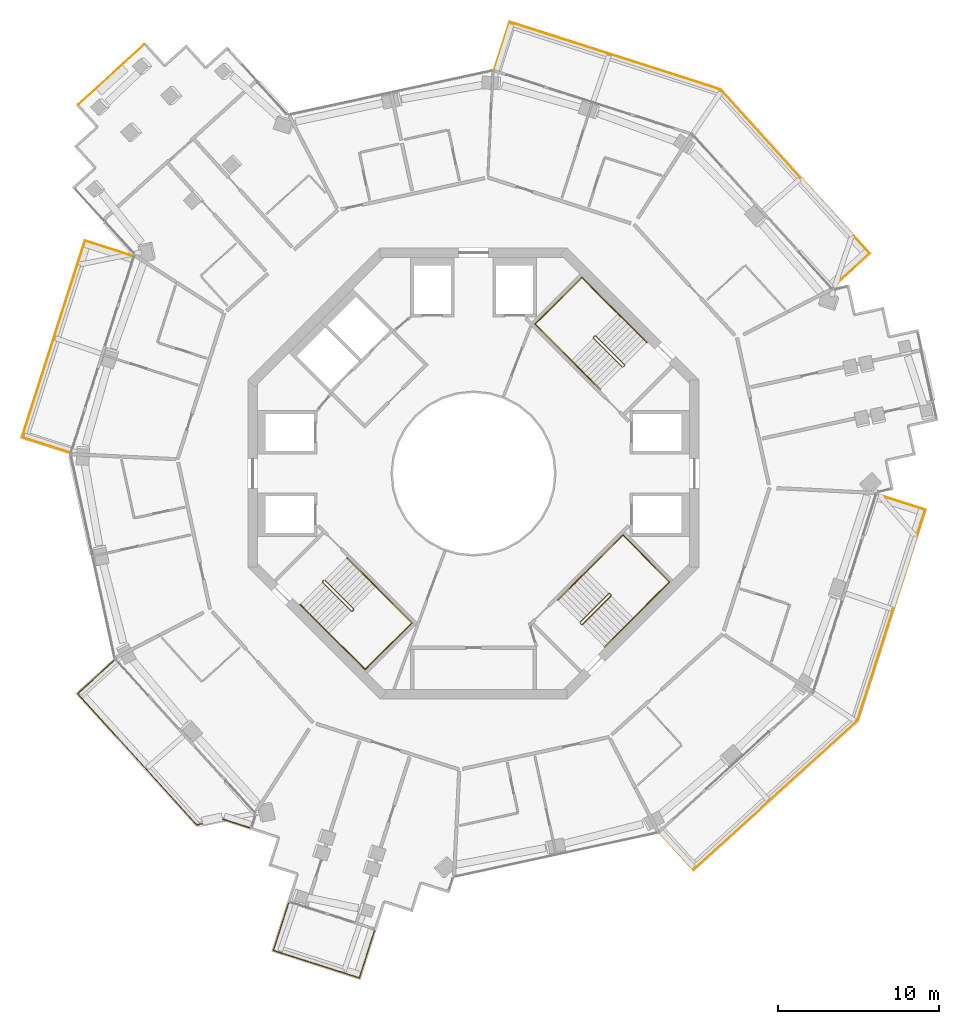
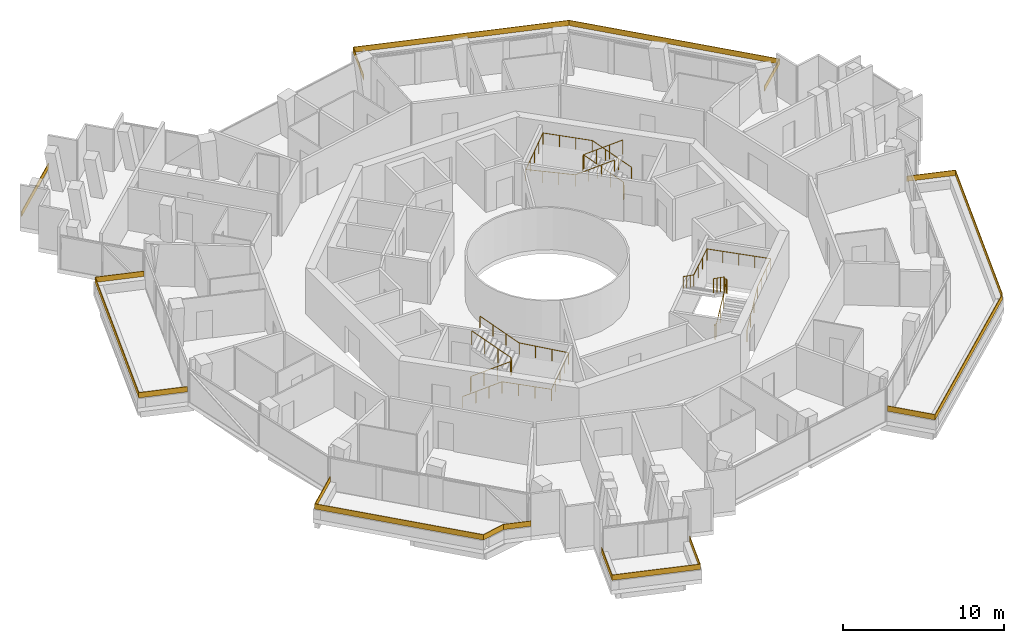
# One storey, part 23 of 23: 12 railings.
"""IFC4 building model written with IfcOpenShell, lengths in metres."""

from ifc_helpers import new_model, si_unit, direction, frame, origin, origin_2d, place, context, subcontext, project, spatial, polyline, rectangle, circle, outline, extrude, material, layer, layer_set, type_object, element, save


model = new_model("IFC4")

# Units and contexts
model_context = context("Model", 3, precision=1e-05, world=origin(), true_north=direction((0.0, 1.0)))
body_context = subcontext(model_context, "Body", "Model", "MODEL_VIEW")
ifc_project = project(units=[si_unit("LENGTHUNIT", "METRE"), si_unit("AREAUNIT", "SQUARE_METRE"), si_unit("VOLUMEUNIT", "CUBIC_METRE"), si_unit("PLANEANGLEUNIT", "RADIAN"), si_unit("MASSUNIT", "GRAM", prefix="KILO")], contexts=[model_context])

# Site, building, storey
site_placement = place(None, origin())
site = spatial("IfcSite", under=ifc_project, at=site_placement, CompositionType="ELEMENT")
building_placement = place(site_placement, origin())
building = spatial("IfcBuilding", under=site, at=building_placement, Name="Verdalira Terraces Hotel", CompositionType="ELEMENT")
storey_placement = place(building_placement, frame((0.0, 0.0, 205.5)))
storey = spatial("IfcBuildingStorey", under=building, at=storey_placement, Name="L50", CompositionType="ELEMENT", Elevation=205.5)

# Railings
ifc_material_1 = material(Name="Laminated glass", Category="glass")
ifc_layer = layer(ifc_material_1, 0.0400390625)
ifc_layer_set = layer_set([ifc_layer], Name="Balcony glass guard 400")
railing_type_1 = type_object("IfcRailingType", Name="Balcony glass guard 400", PredefinedType="GUARDRAIL", material=ifc_layer_set)
railing_1_placement = place(storey_placement, frame((0.0, 0.0, 0.699951)))
element("IfcRailing", 1, at=railing_1_placement, inside=storey, type_object=railing_type_1, Name="Balcony glass guard", PredefinedType="GUARDRAIL", context=body_context, shape_type="SweptSolid", body=[
    extrude(outline(polyline([(-24.089355, 14.415039), (-27.981445, 2.263184), (-25.049316, 1.323975), (-25.061523, 1.285889), (-28.031738, 2.237305), (-24.115234, 14.465332), (-21.144775, 13.513916), (-21.156982, 13.47583), (-24.089355, 14.415039)])), origin(), (0.0, 0.0, 1.0), 0.400146),
])
railing_2_placement = place(storey_placement, frame((0.0, 0.0, 0.699951)))
element("IfcRailing", 2, at=railing_2_placement, inside=storey, type_object=railing_type_1, Name="Balcony glass guard", PredefinedType="GUARDRAIL", context=body_context, shape_type="SweptSolid", body=[
    extrude(outline(polyline([(-24.52832, -13.654541), (-17.158447, -21.770996), (-15.53833, -21.419434), (-13.859131, -21.957275), (-13.871338, -21.995361), (-15.540283, -21.460938), (-17.172607, -21.814941), (-24.584961, -13.651855), (-22.275879, -11.555176), (-22.249023, -11.584717), (-24.52832, -13.654541)])), origin(), (0.0, 0.0, 1.0), 0.400146),
])
railing_3_placement = place(storey_placement, frame((0.0, 0.0, 0.699951)))
element("IfcRailing", 3, at=railing_3_placement, inside=storey, type_object=railing_type_1, Name="Balcony glass guard", PredefinedType="GUARDRAIL", context=body_context, shape_type="SweptSolid", body=[
    extrude(outline(polyline([(-12.389648, -29.568359), (-7.094727, -31.26416), (-6.155518, -28.332031), (-6.117432, -28.344238), (-7.068848, -31.314453), (-12.439941, -29.594238), (-11.488525, -26.623779), (-11.450439, -26.635986), (-12.389648, -29.568359)])), origin(), (0.0, 0.0, 1.0), 0.400146),
])
railing_4_placement = place(storey_placement, frame((0.0, 0.0, 0.699951)))
element("IfcRailing", 4, at=railing_4_placement, inside=storey, type_object=railing_type_1, Name="Balcony glass guard", PredefinedType="GUARDRAIL", context=body_context, shape_type="SweptSolid", body=[
    extrude(outline(polyline([(13.654541, -24.52832), (23.801025, -15.315186), (27.981445, -2.263184), (25.049316, -1.323975), (25.061523, -1.285889), (28.031738, -2.237305), (23.835938, -15.337646), (13.651855, -24.584961), (11.555176, -22.275879), (11.584717, -22.249023), (13.654541, -24.52832)])), origin(), (0.0, 0.0, 1.0), 0.400146),
])
railing_5_placement = place(storey_placement, frame((0.0, 0.0, 0.699951)))
element("IfcRailing", 5, at=railing_5_placement, inside=storey, type_object=railing_type_1, Name="Balcony glass guard", PredefinedType="GUARDRAIL", context=body_context, shape_type="SweptSolid", body=[
    extrude(outline(polyline([(24.52832, 13.654541), (15.315186, 23.801025), (2.263184, 27.981445), (1.323975, 25.049316), (1.285889, 25.061523), (2.237305, 28.031738), (15.337646, 23.835938), (24.584961, 13.651855), (22.275879, 11.555176), (22.249023, 11.584717), (24.52832, 13.654541)])), origin(), (0.0, 0.0, 1.0), 0.400146),
])
railing_6_placement = place(storey_placement, frame((-22.473877, 24.750488, 0.699951), z_axis=(0.0, 0.0, 1.0), x_axis=(-0.740335466, -0.672237605, 0.0)))
element("IfcRailing", 6, at=railing_6_placement, inside=storey, type_object=railing_type_1, Name="Loggia glass guard", PredefinedType="GUARDRAIL", context=body_context, shape_type="SweptSolid", body=[
    extrude(rectangle(XDim=5.5, YDim=0.040039, at=origin_2d()), origin(), (0.0, 0.0, 1.0), 0.399902),
])
ifc_material_2 = material(Name="Stainless steel", Category="steel")
railing_type_2 = type_object("IfcRailingType", Name="Stair guard 1100", PredefinedType="GUARDRAIL", material=ifc_material_2)
railing_7_placement = place(storey_placement, frame((9.369141, 6.682129, 0.0)))
element("IfcRailing", 7, at=railing_7_placement, inside=storey, type_object=railing_type_2, Name="L50 ST1 stair guard 1", PredefinedType="GUARDRAIL", context=body_context, shape_type="SweptSolid", body=[
    extrude(circle(Radius=0.023926, at=origin_2d()), frame((0.0, 0.0, 1.076172), z_axis=(-0.707106781, -0.707106781, 0.0), x_axis=(0.707106781, -0.707106781, 0.0)), (0.0, 0.0, 1.0), 0.100098),
    extrude(circle(Radius=0.023926, at=origin_2d()), frame((-0.070801, -0.070801, 1.076172), z_axis=(0.299976798, 0.599953596, 0.741666773), x_axis=(-0.894427191, 0.447213596, 0.0)), (0.0, 0.0, 1.0), 0.236084),
    extrude(circle(Radius=0.023926, at=origin_2d()), frame((0.0, 0.070801, 1.250977), z_axis=(-0.599667044, 0.599584886, 0.529997548), x_axis=(-0.707058338, -0.707155221, 0.0)), (0.0, 0.0, 1.0), 2.97168),
    extrude(circle(Radius=0.023926, at=origin_2d()), frame((-1.781982, 1.852539, 2.826172), z_axis=(-1.0, 0.0, 0.0), x_axis=(0.0, -1.0, 0.0)), (0.0, 0.0, 1.0), 0.070557),
    extrude(circle(Radius=0.023926, at=origin_2d()), frame((-1.852539, 1.852539, 2.826172), z_axis=(-0.70832698, -0.705884473, 0.0), x_axis=(0.705884473, -0.70832698, 0.0)), (0.0, 0.0, 1.0), 0.099854),
    extrude(circle(Radius=0.023926, at=origin_2d()), frame((-1.92334, 1.781982, 2.826172), z_axis=(0.0, -0.374954687, 0.92704314), x_axis=(1.0, 0.0, 0.0)), (0.0, 0.0, 1.0), 0.188721),
    extrude(circle(Radius=0.023926, at=origin_2d()), frame((-1.92334, 1.711182, 3.000977), z_axis=(0.599637504, -0.599637504, 0.52997144), x_axis=(0.707106781, 0.707106781, 0.0)), (0.0, 0.0, 1.0), 2.97168),
    extrude(circle(Radius=0.020996, at=origin_2d()), origin(), (0.0, 0.0, 1.0), 1.052002),
    extrude(circle(Radius=0.020996, at=origin_2d()), frame((-0.070801, -0.070801, 0.0)), (0.0, 0.0, 1.0), 1.052002),
    extrude(circle(Radius=0.020996, at=origin_2d()), frame((0.0, 0.070801, 0.175049)), (0.0, 0.0, 1.0), 1.052002),
    extrude(circle(Radius=0.020996, at=origin_2d()), frame((-0.593994, 0.664795, 0.699951)), (0.0, 0.0, 1.0), 1.052002),
    extrude(circle(Radius=0.020996, at=origin_2d()), frame((-1.187988, 1.258545, 1.225098)), (0.0, 0.0, 1.0), 1.052002),
    extrude(circle(Radius=0.020996, at=origin_2d()), frame((-1.781982, 1.852539, 1.75)), (0.0, 0.0, 1.0), 1.052002),
    extrude(circle(Radius=0.020996, at=origin_2d()), frame((-1.852539, 1.852539, 1.75)), (0.0, 0.0, 1.0), 1.052002),
    extrude(circle(Radius=0.020996, at=origin_2d()), frame((-1.92334, 1.781982, 1.75)), (0.0, 0.0, 1.0), 1.052002),
    extrude(circle(Radius=0.020996, at=origin_2d()), frame((-1.92334, 1.711182, 1.925049)), (0.0, 0.0, 1.0), 1.052002),
    extrude(circle(Radius=0.020996, at=origin_2d()), frame((-1.329346, 1.117188, 2.449951)), (0.0, 0.0, 1.0), 1.052002),
    extrude(circle(Radius=0.020996, at=origin_2d()), frame((-0.735352, 0.523193, 2.975098)), (0.0, 0.0, 1.0), 1.052002),
    extrude(circle(Radius=0.020996, at=origin_2d()), frame((-0.141357, -0.070801, 3.5)), (0.0, 0.0, 1.0), 1.052002),
])
railing_8_placement = place(storey_placement, frame((-9.369141, -6.682129, 0.0)))
element("IfcRailing", 8, at=railing_8_placement, inside=storey, type_object=railing_type_2, Name="L50 ST2 stair guard 1", PredefinedType="GUARDRAIL", context=body_context, shape_type="SweptSolid", body=[
    extrude(circle(Radius=0.023926, at=origin_2d()), frame((0.0, 0.0, 1.076172), z_axis=(0.707106781, 0.707106781, 0.0), x_axis=(-0.707106781, 0.707106781, 0.0)), (0.0, 0.0, 1.0), 0.100098),
    extrude(circle(Radius=0.023926, at=origin_2d()), frame((0.070801, 0.070801, 1.076172), z_axis=(-0.299976798, -0.599953596, 0.741666773), x_axis=(0.894427191, -0.447213596, 0.0)), (0.0, 0.0, 1.0), 0.236084),
    extrude(circle(Radius=0.023926, at=origin_2d()), frame((0.0, -0.070801, 1.250977), z_axis=(0.599667044, -0.599584886, 0.529997548), x_axis=(0.707058338, 0.707155221, 0.0)), (0.0, 0.0, 1.0), 2.97168),
    extrude(circle(Radius=0.023926, at=origin_2d()), frame((1.781982, -1.852539, 2.826172), z_axis=(1.0, 0.0, 0.0), x_axis=(0.0, 1.0, 0.0)), (0.0, 0.0, 1.0), 0.070557),
    extrude(circle(Radius=0.023926, at=origin_2d()), frame((1.852539, -1.852539, 2.826172), z_axis=(0.70832698, 0.705884473, 0.0), x_axis=(-0.705884473, 0.70832698, 0.0)), (0.0, 0.0, 1.0), 0.099854),
    extrude(circle(Radius=0.023926, at=origin_2d()), frame((1.92334, -1.781982, 2.826172), z_axis=(0.0, 0.374954687, 0.92704314), x_axis=(-1.0, 0.0, 0.0)), (0.0, 0.0, 1.0), 0.188721),
    extrude(circle(Radius=0.023926, at=origin_2d()), frame((1.92334, -1.711182, 3.000977), z_axis=(-0.599637504, 0.599637504, 0.52997144), x_axis=(-0.707106781, -0.707106781, 0.0)), (0.0, 0.0, 1.0), 2.97168),
    extrude(circle(Radius=0.020996, at=origin_2d()), origin(), (0.0, 0.0, 1.0), 1.052002),
    extrude(circle(Radius=0.020996, at=origin_2d()), frame((0.070801, 0.070801, 0.0)), (0.0, 0.0, 1.0), 1.052002),
    extrude(circle(Radius=0.020996, at=origin_2d()), frame((0.0, -0.070801, 0.175049)), (0.0, 0.0, 1.0), 1.052002),
    extrude(circle(Radius=0.020996, at=origin_2d()), frame((0.593994, -0.664795, 0.699951)), (0.0, 0.0, 1.0), 1.052002),
    extrude(circle(Radius=0.020996, at=origin_2d()), frame((1.187988, -1.258545, 1.225098)), (0.0, 0.0, 1.0), 1.052002),
    extrude(circle(Radius=0.020996, at=origin_2d()), frame((1.781982, -1.852539, 1.75)), (0.0, 0.0, 1.0), 1.052002),
    extrude(circle(Radius=0.020996, at=origin_2d()), frame((1.852539, -1.852539, 1.75)), (0.0, 0.0, 1.0), 1.052002),
    extrude(circle(Radius=0.020996, at=origin_2d()), frame((1.92334, -1.781982, 1.75)), (0.0, 0.0, 1.0), 1.052002),
    extrude(circle(Radius=0.020996, at=origin_2d()), frame((1.92334, -1.711182, 1.925049)), (0.0, 0.0, 1.0), 1.052002),
    extrude(circle(Radius=0.020996, at=origin_2d()), frame((1.329346, -1.117188, 2.449951)), (0.0, 0.0, 1.0), 1.052002),
    extrude(circle(Radius=0.020996, at=origin_2d()), frame((0.735352, -0.523193, 2.975098)), (0.0, 0.0, 1.0), 1.052002),
    extrude(circle(Radius=0.020996, at=origin_2d()), frame((0.141357, 0.070801, 3.5)), (0.0, 0.0, 1.0), 1.052002),
])
railing_9_placement = place(storey_placement, frame((6.682129, -9.369141, 0.0)))
element("IfcRailing", 9, at=railing_9_placement, inside=storey, type_object=railing_type_2, Name="L50 ST3 stair guard 1", PredefinedType="GUARDRAIL", context=body_context, shape_type="SweptSolid", body=[
    extrude(circle(Radius=0.023926, at=origin_2d()), frame((0.0, 0.0, 1.076172), z_axis=(-0.707106781, 0.707106781, 0.0), x_axis=(-0.707106781, -0.707106781, 0.0)), (0.0, 0.0, 1.0), 0.100098),
    extrude(circle(Radius=0.023926, at=origin_2d()), frame((-0.070801, 0.070801, 1.076172), z_axis=(0.599953596, -0.299976798, 0.741666773), x_axis=(0.447213596, 0.894427191, 0.0)), (0.0, 0.0, 1.0), 0.236084),
    extrude(circle(Radius=0.023926, at=origin_2d()), frame((0.070801, 0.0, 1.250977), z_axis=(0.599584886, 0.599667044, 0.529997548), x_axis=(-0.707155221, 0.707058338, 0.0)), (0.0, 0.0, 1.0), 2.97168),
    extrude(circle(Radius=0.023926, at=origin_2d()), frame((1.852539, 1.781982, 2.826172), z_axis=(0.0, 1.0, 0.0), x_axis=(-1.0, 0.0, 0.0)), (0.0, 0.0, 1.0), 0.070557),
    extrude(circle(Radius=0.023926, at=origin_2d()), frame((1.852539, 1.852539, 2.826172), z_axis=(-0.705884473, 0.70832698, 0.0), x_axis=(-0.70832698, -0.705884473, 0.0)), (0.0, 0.0, 1.0), 0.099854),
    extrude(circle(Radius=0.023926, at=origin_2d()), frame((1.781982, 1.92334, 2.826172), z_axis=(-0.374954687, 0.0, 0.92704314), x_axis=(0.0, -1.0, 0.0)), (0.0, 0.0, 1.0), 0.188721),
    extrude(circle(Radius=0.023926, at=origin_2d()), frame((1.711182, 1.92334, 3.000977), z_axis=(-0.599637504, -0.599637504, 0.52997144), x_axis=(0.707106781, -0.707106781, 0.0)), (0.0, 0.0, 1.0), 2.97168),
    extrude(circle(Radius=0.020996, at=origin_2d()), origin(), (0.0, 0.0, 1.0), 1.052002),
    extrude(circle(Radius=0.020996, at=origin_2d()), frame((-0.070801, 0.070801, 0.0)), (0.0, 0.0, 1.0), 1.052002),
    extrude(circle(Radius=0.020996, at=origin_2d()), frame((0.070801, 0.0, 0.175049)), (0.0, 0.0, 1.0), 1.052002),
    extrude(circle(Radius=0.020996, at=origin_2d()), frame((0.664795, 0.593994, 0.699951)), (0.0, 0.0, 1.0), 1.052002),
    extrude(circle(Radius=0.020996, at=origin_2d()), frame((1.258545, 1.187988, 1.225098)), (0.0, 0.0, 1.0), 1.052002),
    extrude(circle(Radius=0.020996, at=origin_2d()), frame((1.852539, 1.781982, 1.75)), (0.0, 0.0, 1.0), 1.052002),
    extrude(circle(Radius=0.020996, at=origin_2d()), frame((1.852539, 1.852539, 1.75)), (0.0, 0.0, 1.0), 1.052002),
    extrude(circle(Radius=0.020996, at=origin_2d()), frame((1.781982, 1.92334, 1.75)), (0.0, 0.0, 1.0), 1.052002),
    extrude(circle(Radius=0.020996, at=origin_2d()), frame((1.711182, 1.92334, 1.925049)), (0.0, 0.0, 1.0), 1.052002),
    extrude(circle(Radius=0.020996, at=origin_2d()), frame((1.117188, 1.329346, 2.449951)), (0.0, 0.0, 1.0), 1.052002),
    extrude(circle(Radius=0.020996, at=origin_2d()), frame((0.523193, 0.735352, 2.975098)), (0.0, 0.0, 1.0), 1.052002),
    extrude(circle(Radius=0.020996, at=origin_2d()), frame((-0.070801, 0.141357, 3.5)), (0.0, 0.0, 1.0), 1.052002),
])
ifc_material_3 = material(Name="Stainless steel", Category="steel")
railing_type_3 = type_object("IfcRailingType", Name="Stair handrail 900", PredefinedType="HANDRAIL", material=ifc_material_3)
railing_10_placement = place(storey_placement, frame((10.748047, 8.131836, 0.175049)))
element("IfcRailing", 10, at=railing_10_placement, inside=storey, type_object=railing_type_3, Name="L50 ST1 stair handrail 1", PredefinedType="HANDRAIL", context=body_context, shape_type="SweptSolid", body=[
    extrude(circle(Radius=0.023926, at=origin_2d()), frame((0.0, 0.0, 0.875977), z_axis=(-0.599667044, 0.599584886, 0.529997548), x_axis=(-0.707058338, -0.707155221, 0.0)), (0.0, 0.0, 1.0), 2.97168),
    extrude(circle(Radius=0.023926, at=origin_2d()), frame((-1.781982, 1.781738, 2.450684), z_axis=(-0.707068394, 0.707145166, 0.0), x_axis=(-0.707145166, -0.707068394, 0.0)), (0.0, 0.0, 1.0), 3.180176),
    extrude(circle(Radius=0.023926, at=origin_2d()), frame((-4.030518, 4.030518, 2.450684), z_axis=(-0.707106781, -0.707106781, 0.0), x_axis=(0.707106781, -0.707106781, 0.0)), (0.0, 0.0, 1.0), 4.100098),
    extrude(circle(Radius=0.023926, at=origin_2d()), frame((-6.929688, 1.131348, 2.450684), z_axis=(0.705999616, -0.706076271, 0.054962185), x_axis=(0.707145166, 0.707068394, 0.0)), (0.0, 0.0, 1.0), 3.184814),
    extrude(circle(Radius=0.023926, at=origin_2d()), frame((-4.681152, -1.117432, 2.625977), z_axis=(0.599667044, -0.599584886, 0.529997548), x_axis=(0.707058338, 0.707155221, 0.0)), (0.0, 0.0, 1.0), 2.97168),
    extrude(circle(Radius=0.020996, at=origin_2d()), origin(), (0.0, 0.0, 1.0), 0.851807),
    extrude(circle(Radius=0.020996, at=origin_2d()), frame((-0.593994, 0.593994, 0.524902)), (0.0, 0.0, 1.0), 0.851807),
    extrude(circle(Radius=0.020996, at=origin_2d()), frame((-1.187988, 1.187744, 1.050049)), (0.0, 0.0, 1.0), 0.851807),
    extrude(circle(Radius=0.020996, at=origin_2d()), frame((-1.781982, 1.781738, 1.574951)), (0.0, 0.0, 1.0), 0.851807),
    extrude(circle(Radius=0.020996, at=origin_2d()), frame((-2.531494, 2.53125, 1.574951)), (0.0, 0.0, 1.0), 0.851807),
    extrude(circle(Radius=0.020996, at=origin_2d()), frame((-3.281006, 3.281006, 1.574951)), (0.0, 0.0, 1.0), 0.851807),
    extrude(circle(Radius=0.020996, at=origin_2d()), frame((-4.030518, 4.030518, 1.574951)), (0.0, 0.0, 1.0), 0.851807),
    extrude(circle(Radius=0.020996, at=origin_2d()), frame((-4.755371, 3.305664, 1.574951)), (0.0, 0.0, 1.0), 0.851807),
    extrude(circle(Radius=0.020996, at=origin_2d()), frame((-5.47998, 2.581055, 1.574951)), (0.0, 0.0, 1.0), 0.851807),
    extrude(circle(Radius=0.020996, at=origin_2d()), frame((-6.204834, 1.856201, 1.574951)), (0.0, 0.0, 1.0), 0.851807),
    extrude(circle(Radius=0.020996, at=origin_2d()), frame((-6.929688, 1.131348, 1.574951)), (0.0, 0.0, 1.0), 0.851807),
    extrude(circle(Radius=0.020996, at=origin_2d()), frame((-6.180176, 0.381836, 1.633301)), (0.0, 0.0, 1.0), 0.851807),
    extrude(circle(Radius=0.020996, at=origin_2d()), frame((-5.430664, -0.36792, 1.69165)), (0.0, 0.0, 1.0), 0.851807),
    extrude(circle(Radius=0.020996, at=origin_2d()), frame((-4.681152, -1.117432, 1.75)), (0.0, 0.0, 1.0), 0.851807),
    extrude(circle(Radius=0.020996, at=origin_2d()), frame((-4.087158, -1.711426, 2.274902)), (0.0, 0.0, 1.0), 0.851807),
    extrude(circle(Radius=0.020996, at=origin_2d()), frame((-3.493164, -2.305176, 2.800049)), (0.0, 0.0, 1.0), 0.851807),
    extrude(circle(Radius=0.020996, at=origin_2d()), frame((-2.89917, -2.89917, 3.324951)), (0.0, 0.0, 1.0), 0.851807),
])
railing_11_placement = place(storey_placement, frame((-10.748047, -8.131836, 0.175049)))
element("IfcRailing", 11, at=railing_11_placement, inside=storey, type_object=railing_type_3, Name="L50 ST2 stair handrail 1", PredefinedType="HANDRAIL", context=body_context, shape_type="SweptSolid", body=[
    extrude(circle(Radius=0.023926, at=origin_2d()), frame((0.0, 0.0, 0.875977), z_axis=(0.599667044, -0.599584886, 0.529997548), x_axis=(0.707058338, 0.707155221, 0.0)), (0.0, 0.0, 1.0), 2.97168),
    extrude(circle(Radius=0.023926, at=origin_2d()), frame((1.781982, -1.781738, 2.450684), z_axis=(0.707068394, -0.707145166, 0.0), x_axis=(0.707145166, 0.707068394, 0.0)), (0.0, 0.0, 1.0), 3.180176),
    extrude(circle(Radius=0.023926, at=origin_2d()), frame((4.030518, -4.030518, 2.450684), z_axis=(0.707106781, 0.707106781, 0.0), x_axis=(-0.707106781, 0.707106781, 0.0)), (0.0, 0.0, 1.0), 4.100098),
    extrude(circle(Radius=0.023926, at=origin_2d()), frame((6.929688, -1.131348, 2.450684), z_axis=(-0.705999616, 0.706076271, 0.054962185), x_axis=(-0.707145166, -0.707068394, 0.0)), (0.0, 0.0, 1.0), 3.184814),
    extrude(circle(Radius=0.023926, at=origin_2d()), frame((4.681152, 1.117432, 2.625977), z_axis=(-0.599667044, 0.599584886, 0.529997548), x_axis=(-0.707058338, -0.707155221, 0.0)), (0.0, 0.0, 1.0), 2.97168),
    extrude(circle(Radius=0.020996, at=origin_2d()), origin(), (0.0, 0.0, 1.0), 0.851807),
    extrude(circle(Radius=0.020996, at=origin_2d()), frame((0.593994, -0.593994, 0.524902)), (0.0, 0.0, 1.0), 0.851807),
    extrude(circle(Radius=0.020996, at=origin_2d()), frame((1.187988, -1.187744, 1.050049)), (0.0, 0.0, 1.0), 0.851807),
    extrude(circle(Radius=0.020996, at=origin_2d()), frame((1.781982, -1.781738, 1.574951)), (0.0, 0.0, 1.0), 0.851807),
    extrude(circle(Radius=0.020996, at=origin_2d()), frame((2.531494, -2.53125, 1.574951)), (0.0, 0.0, 1.0), 0.851807),
    extrude(circle(Radius=0.020996, at=origin_2d()), frame((3.281006, -3.281006, 1.574951)), (0.0, 0.0, 1.0), 0.851807),
    extrude(circle(Radius=0.020996, at=origin_2d()), frame((4.030518, -4.030518, 1.574951)), (0.0, 0.0, 1.0), 0.851807),
    extrude(circle(Radius=0.020996, at=origin_2d()), frame((4.755371, -3.305664, 1.574951)), (0.0, 0.0, 1.0), 0.851807),
    extrude(circle(Radius=0.020996, at=origin_2d()), frame((5.47998, -2.581055, 1.574951)), (0.0, 0.0, 1.0), 0.851807),
    extrude(circle(Radius=0.020996, at=origin_2d()), frame((6.204834, -1.856201, 1.574951)), (0.0, 0.0, 1.0), 0.851807),
    extrude(circle(Radius=0.020996, at=origin_2d()), frame((6.929688, -1.131348, 1.574951)), (0.0, 0.0, 1.0), 0.851807),
    extrude(circle(Radius=0.020996, at=origin_2d()), frame((6.180176, -0.381836, 1.633301)), (0.0, 0.0, 1.0), 0.851807),
    extrude(circle(Radius=0.020996, at=origin_2d()), frame((5.430664, 0.36792, 1.69165)), (0.0, 0.0, 1.0), 0.851807),
    extrude(circle(Radius=0.020996, at=origin_2d()), frame((4.681152, 1.117432, 1.75)), (0.0, 0.0, 1.0), 0.851807),
    extrude(circle(Radius=0.020996, at=origin_2d()), frame((4.087158, 1.711426, 2.274902)), (0.0, 0.0, 1.0), 0.851807),
    extrude(circle(Radius=0.020996, at=origin_2d()), frame((3.493164, 2.305176, 2.800049)), (0.0, 0.0, 1.0), 0.851807),
    extrude(circle(Radius=0.020996, at=origin_2d()), frame((2.89917, 2.89917, 3.324951)), (0.0, 0.0, 1.0), 0.851807),
])
railing_12_placement = place(storey_placement, frame((8.131836, -10.748047, 0.175049)))
element("IfcRailing", 12, at=railing_12_placement, inside=storey, type_object=railing_type_3, Name="L50 ST3 stair handrail 1", PredefinedType="HANDRAIL", context=body_context, shape_type="SweptSolid", body=[
    extrude(circle(Radius=0.023926, at=origin_2d()), frame((0.0, 0.0, 0.875977), z_axis=(0.599584886, 0.599667044, 0.529997548), x_axis=(-0.707155221, 0.707058338, 0.0)), (0.0, 0.0, 1.0), 2.97168),
    extrude(circle(Radius=0.023926, at=origin_2d()), frame((1.781738, 1.781982, 2.450684), z_axis=(0.707145166, 0.707068394, 0.0), x_axis=(-0.707068394, 0.707145166, 0.0)), (0.0, 0.0, 1.0), 3.180176),
    extrude(circle(Radius=0.023926, at=origin_2d()), frame((4.030518, 4.030518, 2.450684), z_axis=(-0.707106781, 0.707106781, 0.0), x_axis=(-0.707106781, -0.707106781, 0.0)), (0.0, 0.0, 1.0), 4.100098),
    extrude(circle(Radius=0.023926, at=origin_2d()), frame((1.131348, 6.929688, 2.450684), z_axis=(-0.706076271, -0.705999616, 0.054962185), x_axis=(0.707068394, -0.707145166, 0.0)), (0.0, 0.0, 1.0), 3.184814),
    extrude(circle(Radius=0.023926, at=origin_2d()), frame((-1.117432, 4.681152, 2.625977), z_axis=(-0.599584886, -0.599667044, 0.529997548), x_axis=(0.707155221, -0.707058338, 0.0)), (0.0, 0.0, 1.0), 2.97168),
    extrude(circle(Radius=0.020996, at=origin_2d()), origin(), (0.0, 0.0, 1.0), 0.851807),
    extrude(circle(Radius=0.020996, at=origin_2d()), frame((0.593994, 0.593994, 0.524902)), (0.0, 0.0, 1.0), 0.851807),
    extrude(circle(Radius=0.020996, at=origin_2d()), frame((1.187744, 1.187988, 1.050049)), (0.0, 0.0, 1.0), 0.851807),
    extrude(circle(Radius=0.020996, at=origin_2d()), frame((1.781738, 1.781982, 1.574951)), (0.0, 0.0, 1.0), 0.851807),
    extrude(circle(Radius=0.020996, at=origin_2d()), frame((2.53125, 2.531494, 1.574951)), (0.0, 0.0, 1.0), 0.851807),
    extrude(circle(Radius=0.020996, at=origin_2d()), frame((3.281006, 3.281006, 1.574951)), (0.0, 0.0, 1.0), 0.851807),
    extrude(circle(Radius=0.020996, at=origin_2d()), frame((4.030518, 4.030518, 1.574951)), (0.0, 0.0, 1.0), 0.851807),
    extrude(circle(Radius=0.020996, at=origin_2d()), frame((3.305664, 4.755371, 1.574951)), (0.0, 0.0, 1.0), 0.851807),
    extrude(circle(Radius=0.020996, at=origin_2d()), frame((2.581055, 5.47998, 1.574951)), (0.0, 0.0, 1.0), 0.851807),
    extrude(circle(Radius=0.020996, at=origin_2d()), frame((1.856201, 6.204834, 1.574951)), (0.0, 0.0, 1.0), 0.851807),
    extrude(circle(Radius=0.020996, at=origin_2d()), frame((1.131348, 6.929688, 1.574951)), (0.0, 0.0, 1.0), 0.851807),
    extrude(circle(Radius=0.020996, at=origin_2d()), frame((0.381836, 6.180176, 1.633301)), (0.0, 0.0, 1.0), 0.851807),
    extrude(circle(Radius=0.020996, at=origin_2d()), frame((-0.36792, 5.430664, 1.69165)), (0.0, 0.0, 1.0), 0.851807),
    extrude(circle(Radius=0.020996, at=origin_2d()), frame((-1.117432, 4.681152, 1.75)), (0.0, 0.0, 1.0), 0.851807),
    extrude(circle(Radius=0.020996, at=origin_2d()), frame((-1.711426, 4.087158, 2.274902)), (0.0, 0.0, 1.0), 0.851807),
    extrude(circle(Radius=0.020996, at=origin_2d()), frame((-2.305176, 3.493164, 2.800049)), (0.0, 0.0, 1.0), 0.851807),
    extrude(circle(Radius=0.020996, at=origin_2d()), frame((-2.89917, 2.89917, 3.324951)), (0.0, 0.0, 1.0), 0.851807),
])

save(model, "model.ifc")
